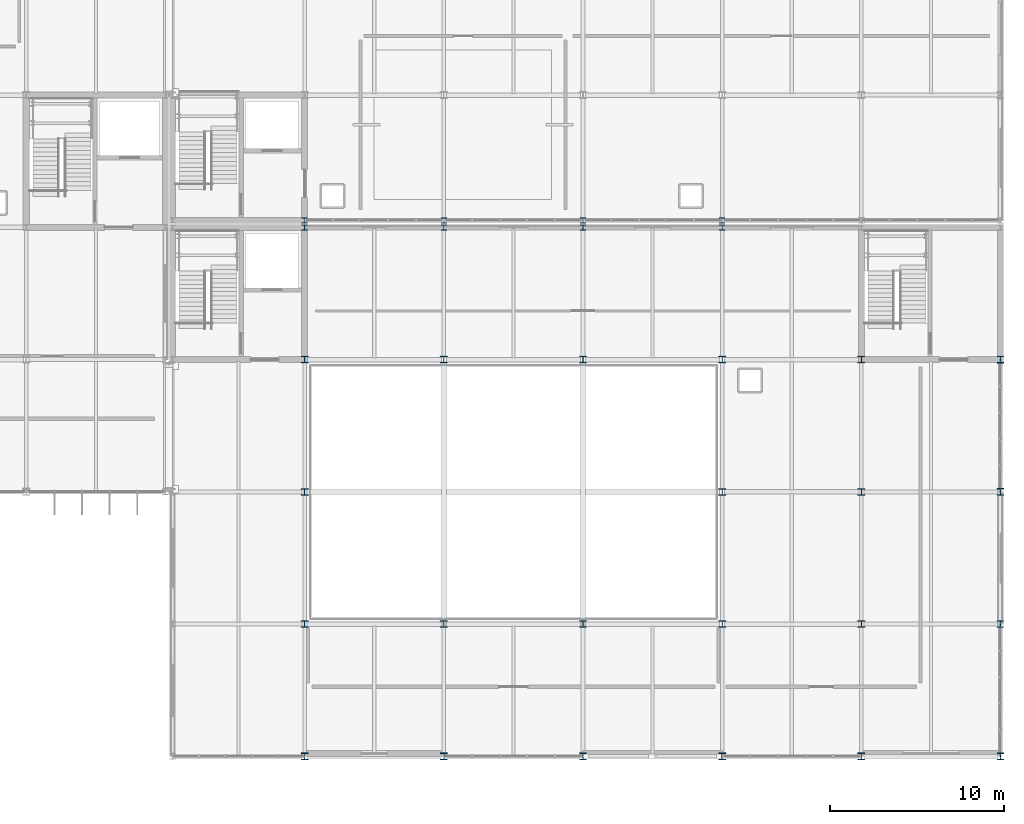
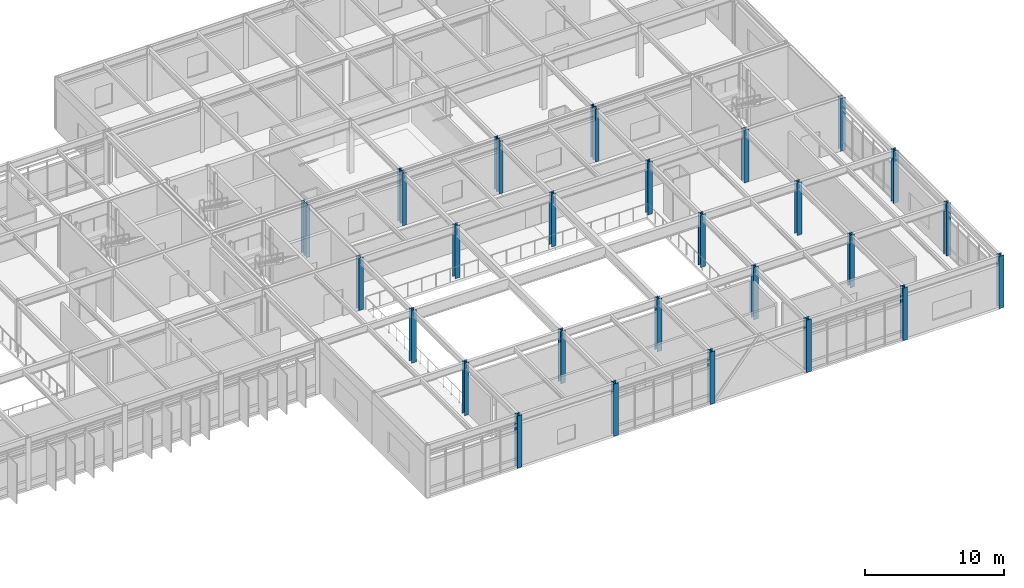
# One storey, part 17 of 104: 30 columns.
"""IFC4 building model written with IfcOpenShell, lengths in metres."""

from ifc_helpers import new_model, si_unit, direction, frame, origin, origin_2d, place, context, subcontext, project, spatial, i_section, extrude, material, material_profile, profile_set, type_object, element, save


model = new_model("IFC4")

# Units and contexts
model_context = context("Model", 3, precision=1e-05, world=origin(), true_north=direction((0.0, 1.0)))
body_context = subcontext(model_context, "Body", "Model", "MODEL_VIEW")
ifc_project = project(units=[si_unit("LENGTHUNIT", "METRE"), si_unit("AREAUNIT", "SQUARE_METRE"), si_unit("VOLUMEUNIT", "CUBIC_METRE"), si_unit("PLANEANGLEUNIT", "RADIAN"), si_unit("MASSUNIT", "GRAM", prefix="KILO")], contexts=[model_context])

# Site, building, storey
site_placement = place(None, origin())
site = spatial("IfcSite", under=ifc_project, at=site_placement, CompositionType="ELEMENT")
building_placement = place(site_placement, origin())
building = spatial("IfcBuilding", under=site, at=building_placement, Name="Zulena Civic Courthouse", CompositionType="ELEMENT")
storey_placement = place(building_placement, frame((0.0, 0.0, 10.800048828125)))
storey = spatial("IfcBuildingStorey", under=building, at=storey_placement, Name="L02", CompositionType="ELEMENT", Elevation=10.800048828125)

# Columns
ifc_material = material(Name="Steel ASTM A992 Grade 50", Category="steel")
ifc_material_profile_1 = material_profile(ifc_material, i_section(OverallWidth=0.31298828125, OverallDepth=0.3330078125, WebThickness=0.01806640625, FlangeThickness=0.0283203125, FilletRadius=0.01513671875, at=origin_2d()), Name="W12X120")
ifc_profile_set_1 = profile_set([ifc_material_profile_1], Name="Steel ASTM A992 Grade 50")
column_type_1 = type_object("IfcColumnType", Name="Col_W12X120", PredefinedType="COLUMN", material=ifc_profile_set_1)
for number, where, z_axis, x_axis, name in (
    (1, (132.0, 30.39990234375, 0.0), (0.0, 0.0, 1.0), (1.0, 0.0, 0.0), "col:V1:L02:132.0:30.4"),
    (2, (140.0, 30.39990234375, 0.0), (0.0, 0.0, 1.0), (1.0, 0.0, 0.0), "col:V1:L02:140.0:30.4"),
    (3, (148.0, 30.39990234375, 0.0), (0.0, 0.0, 1.0), (1.0, 0.0, 0.0), "col:V1:L02:148.0:30.4"),
    (4, (156.0, 30.39990234375, 0.0), (0.0, 0.0, 1.0), (1.0, 0.0, 0.0), "col:V1:L02:156.0:30.4"),
    (5, (132.0, 30.800048828125, 0.0), (0.0, 0.0, 1.0), (1.0, 0.0, 0.0), "col:V3:L02:132.0:30.8"),
    (6, (140.0, 30.800048828125, 0.0), (0.0, 0.0, 1.0), (1.0, 0.0, 0.0), "col:V3:L02:140.0:30.8"),
    (7, (148.0, 30.800048828125, 0.0), (0.0, 0.0, 1.0), (1.0, 0.0, 0.0), "col:V3:L02:148.0:30.8"),
    (8, (156.0, 30.800048828125, 0.0), (0.0, 0.0, 1.0), (1.0, 0.0, 0.0), "col:V3:L02:156.0:30.8"),
):
    element("IfcColumn", number, at=place(storey_placement, frame(where, z_axis=z_axis, x_axis=x_axis)), inside=storey, type_object=column_type_1, Name=name, PredefinedType="COLUMN", context=body_context, shape_type="SweptSolid", body=[
        extrude(i_section(OverallWidth=0.31298828125, OverallDepth=0.3330078125, WebThickness=0.01806640625, FlangeThickness=0.0283203125, FilletRadius=0.01513671875, at=origin_2d()), origin(), (0.0, 0.0, 1.0), 4.58984375),
    ])
ifc_material_profile_2 = material_profile(ifc_material, i_section(OverallWidth=0.39404296875, OverallDepth=0.3759765625, WebThickness=0.017333984375, FlangeThickness=0.027587890625, FilletRadius=0.01513671875, at=origin_2d()), Name="W14X145")
ifc_profile_set_2 = profile_set([ifc_material_profile_2], Name="Steel ASTM A992 Grade 50")
column_type_2 = type_object("IfcColumnType", Name="Col_W14X145", PredefinedType="COLUMN", material=ifc_profile_set_2)
for number, where, z_axis, x_axis, name in (
    (9, (132.0, 7.60009765625, 0.0), (0.0, 0.0, 1.0), (1.0, 0.0, 0.0), "col:V1:L02:132.0:7.6"),
    (10, (132.0, 15.199951171875, 0.0), (0.0, 0.0, 1.0), (1.0, 0.0, 0.0), "col:V1:L02:132.0:15.2"),
    (11, (132.0, 22.800048828125, 0.0), (0.0, 0.0, 1.0), (1.0, 0.0, 0.0), "col:V1:L02:132.0:22.8"),
    (12, (140.0, 7.60009765625, 0.0), (0.0, 0.0, 1.0), (1.0, 0.0, 0.0), "col:V1:L02:140.0:7.6"),
    (13, (140.0, 22.800048828125, 0.0), (0.0, 0.0, 1.0), (1.0, 0.0, 0.0), "col:V1:L02:140.0:22.8"),
    (14, (148.0, 7.60009765625, 0.0), (0.0, 0.0, 1.0), (1.0, 0.0, 0.0), "col:V1:L02:148.0:7.6"),
    (15, (148.0, 22.800048828125, 0.0), (0.0, 0.0, 1.0), (1.0, 0.0, 0.0), "col:V1:L02:148.0:22.8"),
    (16, (156.0, 7.60009765625, 0.0), (0.0, 0.0, 1.0), (1.0, 0.0, 0.0), "col:V1:L02:156.0:7.6"),
    (17, (156.0, 15.199951171875, 0.0), (0.0, 0.0, 1.0), (1.0, 0.0, 0.0), "col:V1:L02:156.0:15.2"),
    (18, (156.0, 22.800048828125, 0.0), (0.0, 0.0, 1.0), (1.0, 0.0, 0.0), "col:V1:L02:156.0:22.8"),
    (19, (164.0, 7.60009765625, 0.0), (0.0, 0.0, 1.0), (1.0, 0.0, 0.0), "col:V1:L02:164.0:7.6"),
    (20, (164.0, 15.199951171875, 0.0), (0.0, 0.0, 1.0), (1.0, 0.0, 0.0), "col:V1:L02:164.0:15.2"),
    (21, (164.0, 22.800048828125, 0.0), (0.0, 0.0, 1.0), (1.0, 0.0, 0.0), "col:V1:L02:164.0:22.8"),
):
    element("IfcColumn", number, at=place(storey_placement, frame(where, z_axis=z_axis, x_axis=x_axis)), inside=storey, type_object=column_type_2, Name=name, PredefinedType="COLUMN", context=body_context, shape_type="SweptSolid", body=[
        extrude(i_section(OverallWidth=0.39404296875, OverallDepth=0.3759765625, WebThickness=0.017333984375, FlangeThickness=0.027587890625, FilletRadius=0.01513671875, at=origin_2d()), origin(), (0.0, 0.0, 1.0), 4.58984375),
    ])
ifc_material_profile_3 = material_profile(ifc_material, i_section(OverallWidth=0.39892578125, OverallDepth=0.386962890625, WebThickness=0.02099609375, FlangeThickness=0.033203125, FilletRadius=0.01513671875, at=origin_2d()), Name="W14X176")
ifc_profile_set_3 = profile_set([ifc_material_profile_3], Name="Steel ASTM A992 Grade 50")
column_type_3 = type_object("IfcColumnType", Name="Col_W14X176", PredefinedType="COLUMN", material=ifc_profile_set_3)
for number, where, z_axis, x_axis, name in (
    (22, (164.0, 0.0, 0.0), (0.0, 0.0, 1.0), (1.0, 0.0, 0.0), "col:V1:L02:164.0:0.0"),
    (23, (172.0, 0.0, 0.0), (0.0, 0.0, 1.0), (1.0, 0.0, 0.0), "col:V1:L02:172.0:0.0"),
    (24, (172.0, 7.60009765625, 0.0), (0.0, 0.0, 1.0), (1.0, 0.0, 0.0), "col:V1:L02:172.0:7.6"),
    (25, (172.0, 15.199951171875, 0.0), (0.0, 0.0, 1.0), (1.0, 0.0, 0.0), "col:V1:L02:172.0:15.2"),
    (26, (172.0, 22.800048828125, 0.0), (0.0, 0.0, 1.0), (1.0, 0.0, 0.0), "col:V1:L02:172.0:22.8"),
):
    element("IfcColumn", number, at=place(storey_placement, frame(where, z_axis=z_axis, x_axis=x_axis)), inside=storey, type_object=column_type_3, Name=name, PredefinedType="COLUMN", context=body_context, shape_type="SweptSolid", body=[
        extrude(i_section(OverallWidth=0.39892578125, OverallDepth=0.386962890625, WebThickness=0.02099609375, FlangeThickness=0.033203125, FilletRadius=0.01513671875, at=origin_2d()), origin(), (0.0, 0.0, 1.0), 4.58984375),
    ])
ifc_material_profile_4 = material_profile(ifc_material, i_section(OverallWidth=0.40087890625, OverallDepth=0.39892578125, WebThickness=0.02490234375, FlangeThickness=0.03955078125, FilletRadius=0.01513671875, at=origin_2d()), Name="W14X211")
ifc_profile_set_4 = profile_set([ifc_material_profile_4], Name="Steel ASTM A992 Grade 50")
column_type_4 = type_object("IfcColumnType", Name="Col_W14X211", PredefinedType="COLUMN", material=ifc_profile_set_4)
for number, where, z_axis, x_axis, name in (
    (27, (132.0, 0.0, 0.0), (0.0, 0.0, 1.0), (1.0, 0.0, 0.0), "col:V1:L02:132.0:0.0"),
    (28, (140.0, 0.0, 0.0), (0.0, 0.0, 1.0), (1.0, 0.0, 0.0), "col:V1:L02:140.0:0.0"),
    (29, (148.0, 0.0, 0.0), (0.0, 0.0, 1.0), (1.0, 0.0, 0.0), "col:V1:L02:148.0:0.0"),
    (30, (156.0, 0.0, 0.0), (0.0, 0.0, 1.0), (1.0, 0.0, 0.0), "col:V1:L02:156.0:0.0"),
):
    element("IfcColumn", number, at=place(storey_placement, frame(where, z_axis=z_axis, x_axis=x_axis)), inside=storey, type_object=column_type_4, Name=name, PredefinedType="COLUMN", context=body_context, shape_type="SweptSolid", body=[
        extrude(i_section(OverallWidth=0.40087890625, OverallDepth=0.39892578125, WebThickness=0.02490234375, FlangeThickness=0.03955078125, FilletRadius=0.01513671875, at=origin_2d()), origin(), (0.0, 0.0, 1.0), 4.58984375),
    ])

save(model, "model.ifc")
